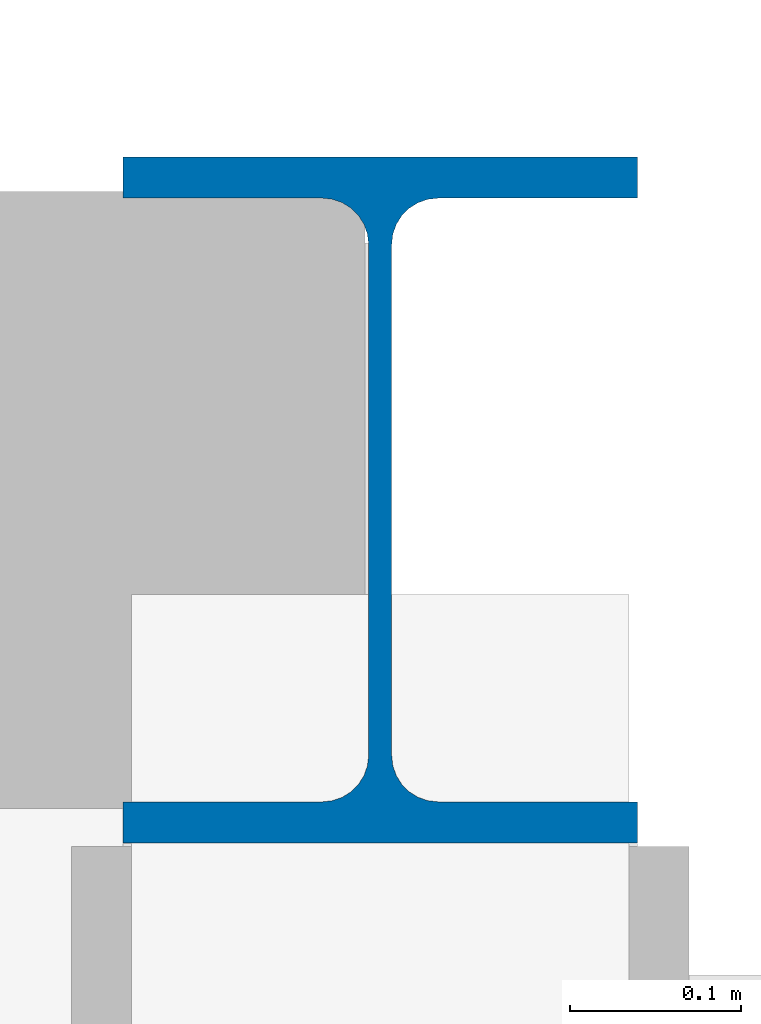
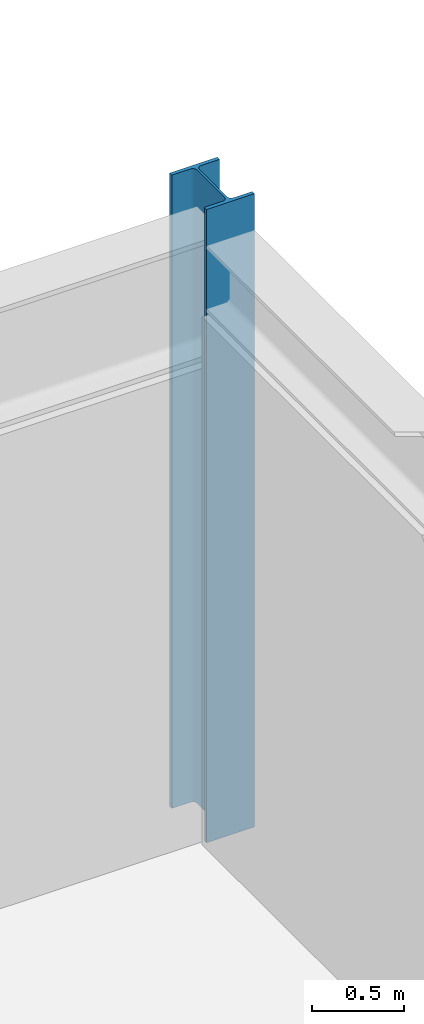
# One storey, part 16 of 99: 1 column.
"""IFC4 building model written with IfcOpenShell, lengths in metres."""

from ifc_helpers import new_model, si_unit, direction, frame, origin, origin_2d, place, context, subcontext, project, spatial, i_section, extrude, material, material_profile, profile_set, type_object, element, save


model = new_model("IFC4")

# Units and contexts
model_context = context("Model", 3, precision=1e-05, world=origin(), true_north=direction((0.0, 1.0)))
body_context = subcontext(model_context, "Body", "Model", "MODEL_VIEW")
ifc_project = project(units=[si_unit("LENGTHUNIT", "METRE"), si_unit("AREAUNIT", "SQUARE_METRE"), si_unit("VOLUMEUNIT", "CUBIC_METRE"), si_unit("PLANEANGLEUNIT", "RADIAN"), si_unit("MASSUNIT", "GRAM", prefix="KILO")], contexts=[model_context])

# Site, building, storey
site_placement = place(None, origin())
site = spatial("IfcSite", under=ifc_project, at=site_placement, CompositionType="ELEMENT")
building_placement = place(site_placement, origin())
building = spatial("IfcBuilding", under=site, at=building_placement, Name="Nordkorset Police Headquarters", CompositionType="ELEMENT")
storey_placement = place(building_placement, frame((0.0, 0.0, 5.25)))
storey = spatial("IfcBuildingStorey", under=building, at=storey_placement, Name="L01", CompositionType="ELEMENT", Elevation=5.25)

# Column
ifc_material = material(Name="Steel S355J2", Category="steel")
ifc_material_profile = material_profile(ifc_material, i_section(OverallWidth=0.300048828125, OverallDepth=0.39990234375, WebThickness=0.013427734375, FlangeThickness=0.02392578125, FilletRadius=0.027099609375, at=origin_2d()), Name="HEB 400")
ifc_profile_set = profile_set([ifc_material_profile], Name="Steel S355J2")
column_type = type_object("IfcColumnType", Name="Col_HEB_400", PredefinedType="COLUMN", material=ifc_profile_set)
column_placement = place(storey_placement, frame((115.199951171875, 97.60009765625, 0.0), z_axis=(0.0, 0.0, 1.0), x_axis=(1.0, 0.0, 0.0)))
element("IfcColumn", 1, at=column_placement, inside=storey, type_object=column_type, Name="Structural Column V5_X2_5 L01", PredefinedType="COLUMN", context=body_context, shape_type="SweptSolid", body=[
    extrude(i_section(OverallWidth=0.300048828125, OverallDepth=0.39990234375, WebThickness=0.013427734375, FlangeThickness=0.02392578125, FilletRadius=0.027099609375, at=origin_2d()), origin(), (0.0, 0.0, 1.0), 4.199951171875),
])

save(model, "model.ifc")
